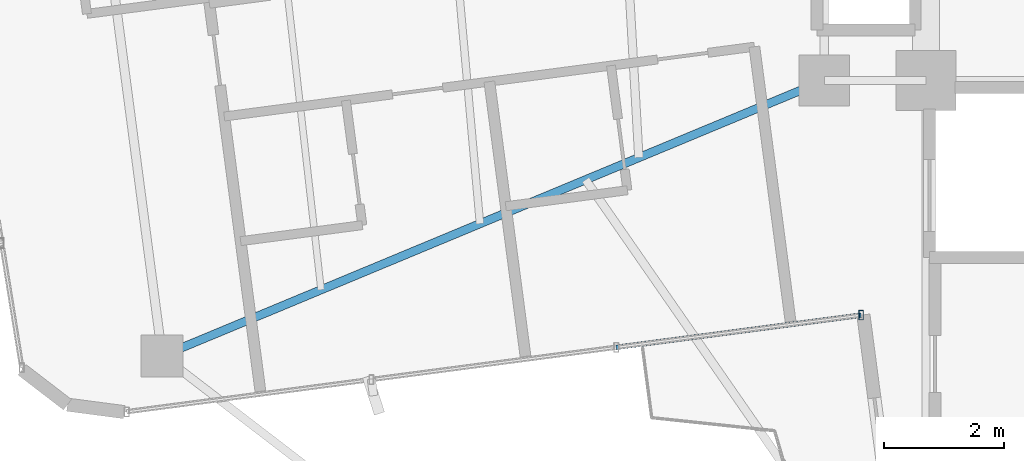
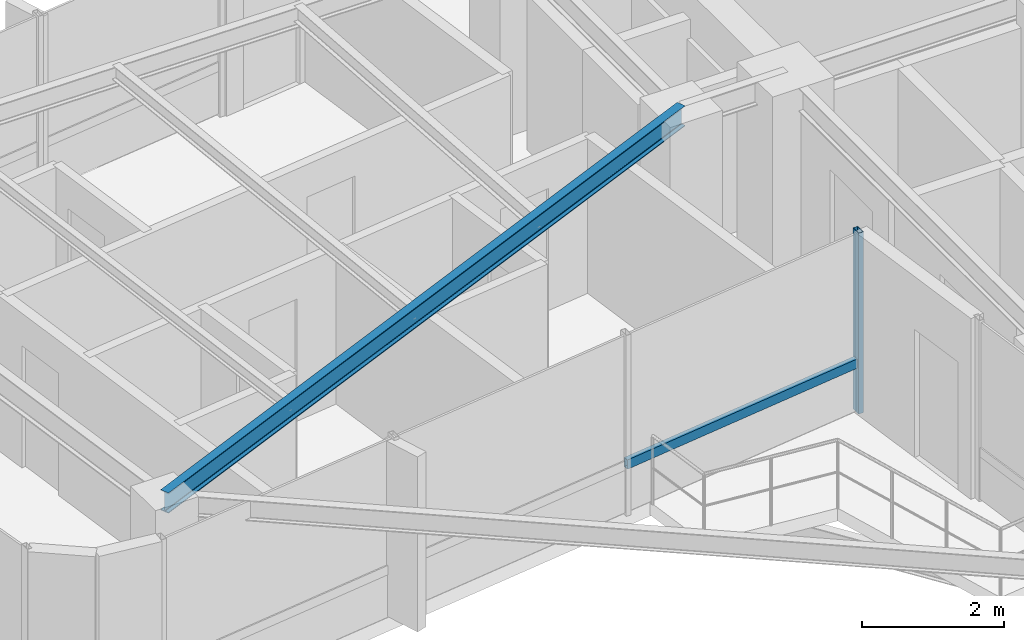
# One storey, part 3 of 22: 2 members, 1 beam, 1 element without a shape of its own.
"""IFC4 building model written with IfcOpenShell, lengths in metres."""

from ifc_helpers import new_model, si_unit, direction, frame, origin, origin_2d, place, context, subcontext, project, spatial, hollow_rectangle, i_section, extrude, source, transform, mapped, material, material_profile, profile_set, type_object, element, aggregate, save


model = new_model("IFC4")

# Units and contexts
model_context = context("Model", 3, precision=1e-05, world=origin(), true_north=direction((0.0, 1.0)))
body_context = subcontext(model_context, "Body", "Model", "MODEL_VIEW")
ifc_project = project(units=[si_unit("LENGTHUNIT", "METRE"), si_unit("AREAUNIT", "SQUARE_METRE"), si_unit("VOLUMEUNIT", "CUBIC_METRE"), si_unit("PLANEANGLEUNIT", "RADIAN"), si_unit("MASSUNIT", "GRAM", prefix="KILO")], contexts=[model_context])

# Site, building, storey
site_placement = place(None, origin())
site = spatial("IfcSite", under=ifc_project, at=site_placement, CompositionType="ELEMENT")
building_placement = place(site_placement, origin())
building = spatial("IfcBuilding", under=site, at=building_placement, Name="Sahyath Konkavel Grand Hotel", CompositionType="ELEMENT")
storey_placement = place(building_placement, frame((0.0, 0.0, 234.449951171875)))
storey = spatial("IfcBuildingStorey", under=building, at=storey_placement, Name="L65", CompositionType="ELEMENT", Elevation=234.449951171875)

# Beam
ifc_material_1 = material(Name="Steel E350", Category="steel")
ifc_material_profile_1 = material_profile(ifc_material_1, i_section(OverallWidth=0.139892578125, OverallDepth=0.35009765625, WebThickness=0.008056640625, FlangeThickness=0.01416015625, FilletRadius=0.013916015625, at=origin_2d()), Name="ISMB 350")
ifc_profile_set_1 = profile_set([ifc_material_profile_1], Name="Steel E350")
beam_type = type_object("IfcBeamType", Name="BM-ISMB350", PredefinedType="BEAM", material=ifc_profile_set_1)
shared_shape_1 = source(origin(), body_context, "Body", "SweptSolid", [
    extrude(i_section(OverallWidth=0.139892578125, OverallDepth=0.35009765625, WebThickness=0.008056640625, FlangeThickness=0.01416015625, FilletRadius=0.013916015625, at=origin_2d()), origin(), (0.0, 0.0, 1.0), 11.9794921875),
])
beam_placement = place(storey_placement, frame((-5.5, -2.39990234375, 2.93505859375), z_axis=(-0.923316118913, -0.384040811054, 0.0), x_axis=(0.384040811054, -0.923316118913, 0.0)))
element("IfcBeam", 1, at=beam_placement, inside=storey, type_object=beam_type, Name="L65 Cruciform Radial Girder WB", PredefinedType="BEAM", context=body_context, shape_type="MappedRepresentation", body=[
    mapped(shared_shape_1, transform((0.0, 0.0, 0.0), scale=1.0)),
])

# Curtain wall, members
ifc_material_2 = material(Name="Anodised Bronze Aluminium & Low-E Glazing", Category="aluminium")
curtain_wall_type = type_object("IfcCurtainWallType", Name="CW-ZONE4", PredefinedType="NOTDEFINED", material=ifc_material_2)
curtain_wall_placement = place(storey_placement, origin())
curtain_wall = element("IfcCurtainWall", 2, at=curtain_wall_placement, inside=storey, type_object=curtain_wall_type, Name="L65 Unitised Curtain Wall F23", PredefinedType="NOTDEFINED")
ifc_material_3 = material(Name="Anodised Bronze Aluminium", Category="aluminium")
ifc_material_profile_2 = material_profile(ifc_material_3, hollow_rectangle(XDim=0.080078125, YDim=0.159912109375, WallThickness=0.006103515625, at=origin_2d()), Name="RHS 160x80x6")
ifc_profile_set_2 = profile_set([ifc_material_profile_2], Name="Anodised Bronze Aluminium")
member_type_1 = type_object("IfcMemberType", Name="CW-MUL-160", PredefinedType="MULLION", material=ifc_profile_set_2)
shared_shape_2 = source(origin(), body_context, "Body", "SweptSolid", [
    extrude(hollow_rectangle(XDim=0.080078125, YDim=0.159912109375, WallThickness=0.006103515625, at=origin_2d()), origin(), (0.0, 0.0, 1.0), 3.110107421875),
])
member_1_placement = place(storey_placement, frame((-4.8857421875, -6.32080078125, 0.0), z_axis=(0.0, 0.0, 1.0), x_axis=(1.0, 0.0, 0.0)))
member_1 = element("IfcMember", 3, at=member_1_placement, type_object=member_type_1, Name="L65 Curtain Wall Mullion F23-3", PredefinedType="MULLION", context=body_context, shape_type="MappedRepresentation", body=[
    mapped(shared_shape_2, transform((0.0, 0.0, 0.0), scale=1.0)),
])
ifc_material_profile_3 = material_profile(ifc_material_3, hollow_rectangle(XDim=0.080078125, YDim=0.159912109375, WallThickness=0.006103515625, at=origin_2d()), Name="RHS 160x80x6")
ifc_profile_set_3 = profile_set([ifc_material_profile_3], Name="Anodised Bronze Aluminium")
member_type_2 = type_object("IfcMemberType", Name="CW-TRN-160", PredefinedType="USERDEFINED", material=ifc_profile_set_3)
shared_shape_3 = source(origin(), body_context, "Body", "SweptSolid", [
    extrude(hollow_rectangle(XDim=0.080078125, YDim=0.159912109375, WallThickness=0.006103515625, at=origin_2d()), origin(), (0.0, 0.0, 1.0), 4.124755859375),
])
member_2_placement = place(storey_placement, frame((-8.97509765625, -6.859130859375, 0.85009765625), z_axis=(0.991446234996, 0.130515758099, 0.0), x_axis=(-0.130515758099, 0.991446234996, 0.0)))
member_2 = element("IfcMember", 4, at=member_2_placement, type_object=member_type_2, Name="L65 Curtain Wall Transom F23-2-spandrel", ObjectType="TRANSOM", PredefinedType="USERDEFINED", context=body_context, shape_type="MappedRepresentation", body=[
    mapped(shared_shape_3, transform((0.0, 0.0, 0.0), scale=1.0)),
])
aggregate(curtain_wall, [member_1, member_2])

save(model, "model.ifc")
